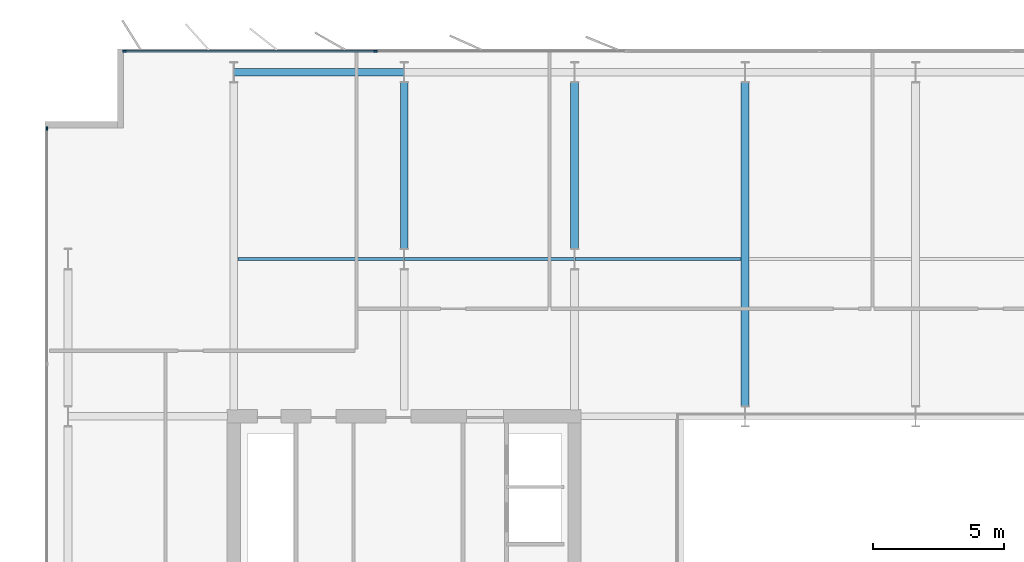
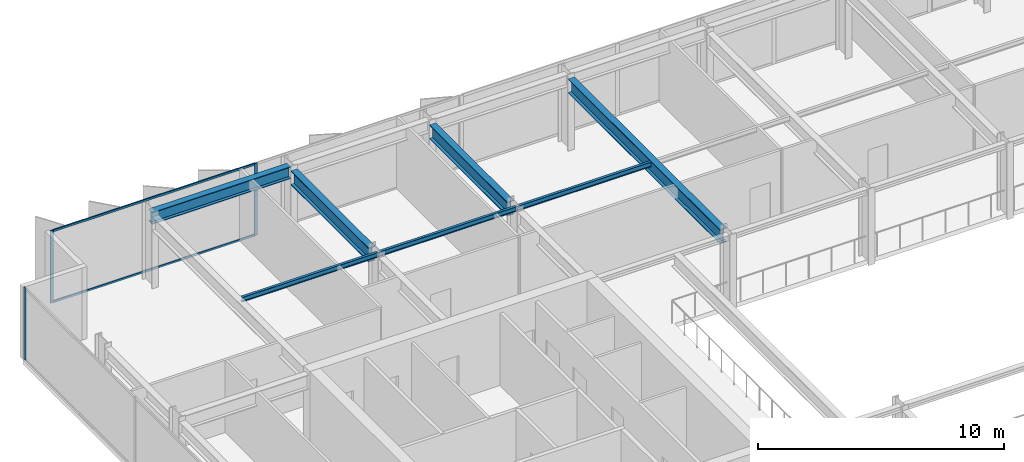
# One storey, part 10 of 24: 7 beams, 5 members, 2 elements without a shape of their own.
"""IFC4 building model written with IfcOpenShell, lengths in metres."""

from ifc_helpers import new_model, si_unit, direction, frame, origin, origin_2d, place, context, subcontext, project, spatial, rectangle, i_section, extrude, material, layer, layer_set, material_profile, profile_set, type_object, element, aggregate, save


model = new_model("IFC4")

# Units and contexts
model_context = context("Model", 3, precision=1e-05, world=origin(), true_north=direction((0.0, 1.0)))
body_context = subcontext(model_context, "Body", "Model", "MODEL_VIEW")
ifc_project = project(units=[si_unit("LENGTHUNIT", "METRE"), si_unit("AREAUNIT", "SQUARE_METRE"), si_unit("VOLUMEUNIT", "CUBIC_METRE"), si_unit("PLANEANGLEUNIT", "RADIAN"), si_unit("MASSUNIT", "GRAM", prefix="KILO")], contexts=[model_context])

# Site, building, storey
site_placement = place(None, origin())
site = spatial("IfcSite", under=ifc_project, at=site_placement, CompositionType="ELEMENT")
building_placement = place(site_placement, origin())
building = spatial("IfcBuilding", under=site, at=building_placement, Name="Putna Gate Headquarters", CompositionType="ELEMENT")
storey_placement = place(building_placement, frame((0.0, 0.0, 236.60009765625)))
storey = spatial("IfcBuildingStorey", under=building, at=storey_placement, Name="L59", CompositionType="ELEMENT", Elevation=236.60009765625)

# Beams
ifc_material_1 = material(Name="Steel S355J2", Category="steel")
ifc_material_profile_1 = material_profile(ifc_material_1, i_section(OverallWidth=0.300048828125, OverallDepth=0.699951171875, WebThickness=0.01708984375, FlangeThickness=0.031982421875, at=origin_2d()), Name="Steel S355J2")
ifc_profile_set_1 = profile_set([ifc_material_profile_1], Name="Steel S355J2")
beam_type_1 = type_object("IfcBeamType", Name="BM-GIRD-B-HEB700", PredefinedType="USERDEFINED", material=ifc_profile_set_1)
for number, where, z_axis, x_axis, name in (
    (1, (19.5, 39.39501953125, 3.22998046875), (0.0, 1.0, 0.0), (-1.0, 0.0, 0.0), "L59 North Primary Girder X19-2"),
    (2, (26.0, 39.39501953125, 3.22998046875), (0.0, 1.0, 0.0), (-1.0, 0.0, 0.0), "L59 North Primary Girder X26-2"),
):
    element("IfcBeam", number, at=place(storey_placement, frame(where, z_axis=z_axis, x_axis=x_axis)), inside=storey, type_object=beam_type_1, Name=name, ObjectType="GIRDER", PredefinedType="USERDEFINED", context=body_context, shape_type="SweptSolid", body=[
        extrude(i_section(OverallWidth=0.300048828125, OverallDepth=0.699951171875, WebThickness=0.01708984375, FlangeThickness=0.031982421875, at=origin_2d()), origin(), (0.0, 0.0, 1.0), 6.330078125),
    ])
beam_1_placement = place(storey_placement, frame((32.5, 33.39501953125, 3.22998046875), z_axis=(0.0, 1.0, 0.0), x_axis=(-1.0, 0.0, 0.0)))
element("IfcBeam", 3, at=beam_1_placement, inside=storey, type_object=beam_type_1, Name="L59 North Primary Girder X32", ObjectType="GIRDER", PredefinedType="USERDEFINED", context=body_context, shape_type="SweptSolid", body=[
    extrude(i_section(OverallWidth=0.300048828125, OverallDepth=0.699951171875, WebThickness=0.01708984375, FlangeThickness=0.031982421875, at=origin_2d()), origin(), (0.0, 0.0, 1.0), 12.330078125),
])
ifc_material_profile_2 = material_profile(ifc_material_1, i_section(OverallWidth=0.1201171875, OverallDepth=0.239990234375, WebThickness=0.006103515625, FlangeThickness=0.009765625, at=origin_2d()), Name="Steel S355J2")
ifc_profile_set_2 = profile_set([ifc_material_profile_2], Name="Steel S355J2")
beam_type_2 = type_object("IfcBeamType", Name="BM-SEC-Z4-IPE240", PredefinedType="JOIST", material=ifc_profile_set_2)
beam_2_placement = place(storey_placement, frame((13.154052734375, 39.0, 3.4599609375), z_axis=(1.0, 0.0, 0.0), x_axis=(0.0, 1.0, 0.0)))
element("IfcBeam", 4, at=beam_2_placement, inside=storey, type_object=beam_type_2, Name="L59 North Secondary Beam 1", PredefinedType="JOIST", context=body_context, shape_type="SweptSolid", body=[
    extrude(i_section(OverallWidth=0.1201171875, OverallDepth=0.239990234375, WebThickness=0.006103515625, FlangeThickness=0.009765625, at=origin_2d()), origin(), (0.0, 0.0, 1.0), 6.33984375),
])
beam_3_placement = place(storey_placement, frame((19.506103515625, 39.0, 3.4599609375), z_axis=(1.0, 0.0, 0.0), x_axis=(0.0, 1.0, 0.0)))
element("IfcBeam", 5, at=beam_3_placement, inside=storey, type_object=beam_type_2, Name="L59 North Secondary Beam 2", PredefinedType="JOIST", context=body_context, shape_type="SweptSolid", body=[
    extrude(i_section(OverallWidth=0.1201171875, OverallDepth=0.239990234375, WebThickness=0.006103515625, FlangeThickness=0.009765625, at=origin_2d()), origin(), (0.0, 0.0, 1.0), 6.48779296875),
])
beam_4_placement = place(storey_placement, frame((26.006103515625, 39.0, 3.4599609375), z_axis=(1.0, 0.0, 0.0), x_axis=(0.0, 1.0, 0.0)))
element("IfcBeam", 6, at=beam_4_placement, inside=storey, type_object=beam_type_2, Name="L59 North Secondary Beam 3", PredefinedType="JOIST", context=body_context, shape_type="SweptSolid", body=[
    extrude(i_section(OverallWidth=0.1201171875, OverallDepth=0.239990234375, WebThickness=0.006103515625, FlangeThickness=0.009765625, at=origin_2d()), origin(), (0.0, 0.0, 1.0), 6.33984375),
])
ifc_material_profile_3 = material_profile(ifc_material_1, i_section(OverallWidth=0.300048828125, OverallDepth=0.590087890625, WebThickness=0.012939453125, FlangeThickness=0.02490234375, at=origin_2d()), Name="Steel S355J2")
ifc_profile_set_3 = profile_set([ifc_material_profile_3], Name="Steel S355J2")
beam_type_3 = type_object("IfcBeamType", Name="BM-SPAN-Z4-HEA600", PredefinedType="SPANDREL", material=ifc_profile_set_3)
beam_5_placement = place(storey_placement, frame((13.006103515625, 46.1201171875, 3.284912109375), z_axis=(1.0, 0.0, 0.0), x_axis=(0.0, 1.0, 0.0)))
element("IfcBeam", 7, at=beam_5_placement, inside=storey, type_object=beam_type_3, Name="L59 N Perimeter Spandrel 1", PredefinedType="SPANDREL", context=body_context, shape_type="SweptSolid", body=[
    extrude(i_section(OverallWidth=0.300048828125, OverallDepth=0.590087890625, WebThickness=0.012939453125, FlangeThickness=0.02490234375, at=origin_2d()), origin(), (0.0, 0.0, 1.0), 6.48779296875),
])

# Curtain wall, members
ifc_material_2 = material(Name="Anodised bronze aluminium curtain wall", Category="aluminium")
ifc_layer = layer(ifc_material_2, 0.139892578125)
ifc_layer_set = layer_set([ifc_layer], Name="Anodised bronze aluminium curtain wall")
curtain_wall_type = type_object("IfcCurtainWallType", Name="CW-SYS-Z4", PredefinedType="USERDEFINED", material=ifc_layer_set)
curtain_wall_1_placement = place(storey_placement, origin())
curtain_wall_1 = element("IfcCurtainWall", 8, at=curtain_wall_1_placement, inside=storey, type_object=curtain_wall_type, Name="L59 North West Curtain Wall", ObjectType="STICK CURTAIN WALL", PredefinedType="USERDEFINED")
ifc_material_3 = material(Name="Anodised bronze aluminium EN AW-6060", Category="aluminium")
ifc_material_profile_4 = material_profile(ifc_material_3, rectangle(XDim=0.06005859375, YDim=0.139892578125, at=origin_2d()), Name="Anodised bronze aluminium EN AW-6060")
ifc_profile_set_4 = profile_set([ifc_material_profile_4], Name="Anodised bronze aluminium EN AW-6060")
member_type_1 = type_object("IfcMemberType", Name="MULL-CWM-4", PredefinedType="MULLION", material=ifc_profile_set_4)
member_1_placement = place(storey_placement, frame((8.830078125, 46.919921875, 0.0), z_axis=(0.0, 0.0, 1.0), x_axis=(0.0, 1.0, 0.0)))
member_1 = element("IfcMember", 9, at=member_1_placement, type_object=member_type_1, Name="CWS-4 mullion 1", PredefinedType="MULLION", context=body_context, shape_type="SweptSolid", body=[
    extrude(rectangle(XDim=0.06005859375, YDim=0.139892578125, at=origin_2d()), origin(), (0.0, 0.0, 1.0), 3.579833984375),
])
member_2_placement = place(storey_placement, frame((18.39990234375, 46.919921875, 0.0), z_axis=(0.0, 0.0, 1.0), x_axis=(0.0, 1.0, 0.0)))
member_2 = element("IfcMember", 10, at=member_2_placement, type_object=member_type_1, Name="CWS-4 mullion 2", PredefinedType="MULLION", context=body_context, shape_type="SweptSolid", body=[
    extrude(rectangle(XDim=0.06005859375, YDim=0.139892578125, at=origin_2d()), origin(), (0.0, 0.0, 1.0), 3.579833984375),
])

# Curtain wall, member
curtain_wall_2_placement = place(storey_placement, origin())
curtain_wall_2 = element("IfcCurtainWall", 11, at=curtain_wall_2_placement, inside=storey, type_object=curtain_wall_type, Name="L59 West Curtain Wall", ObjectType="STICK CURTAIN WALL", PredefinedType="USERDEFINED")
member_3_placement = place(storey_placement, frame((5.8798828125, 43.969970703125, 0.0), z_axis=(0.0, 0.0, 1.0), x_axis=(-1.0, 0.0, 0.0)))
member_3 = element("IfcMember", 12, at=member_3_placement, type_object=member_type_1, Name="CWS-4 mullion 5", PredefinedType="MULLION", context=body_context, shape_type="SweptSolid", body=[
    extrude(rectangle(XDim=0.06005859375, YDim=0.139892578125, at=origin_2d()), origin(), (0.0, 0.0, 1.0), 3.579833984375),
])
aggregate(curtain_wall_2, [member_3])

# Member
ifc_material_profile_5 = material_profile(ifc_material_3, rectangle(XDim=0.06005859375, YDim=0.10009765625, at=origin_2d()), Name="Anodised bronze aluminium EN AW-6060")
ifc_profile_set_5 = profile_set([ifc_material_profile_5], Name="Anodised bronze aluminium EN AW-6060")
member_type_2 = type_object("IfcMemberType", Name="TRAN-CWT-4", PredefinedType="USERDEFINED", material=ifc_profile_set_5)
member_4_placement = place(storey_placement, frame((8.860107421875, 46.919921875, 0.02978515625), z_axis=(1.0, 0.0, 0.0), x_axis=(0.0, 1.0, 0.0)))
member_4 = element("IfcMember", 13, at=member_4_placement, type_object=member_type_2, Name="CWS-4 transom 1.1", ObjectType="TRANSOM", PredefinedType="USERDEFINED", context=body_context, shape_type="SweptSolid", body=[
    extrude(rectangle(XDim=0.06005859375, YDim=0.10009765625, at=origin_2d()), origin(), (0.0, 0.0, 1.0), 9.510009765625),
])

member_5_placement = place(storey_placement, frame((8.860107421875, 46.919921875, 3.5498046875), z_axis=(1.0, 0.0, 0.0), x_axis=(0.0, 1.0, 0.0)))
member_5 = element("IfcMember", 14, at=member_5_placement, type_object=member_type_2, Name="CWS-4 transom 1.2", ObjectType="TRANSOM", PredefinedType="USERDEFINED", context=body_context, shape_type="SweptSolid", body=[
    extrude(rectangle(XDim=0.06005859375, YDim=0.10009765625, at=origin_2d()), origin(), (0.0, 0.0, 1.0), 9.510009765625),
])

aggregate(curtain_wall_1, [member_1, member_2, member_4, member_5])

save(model, "model.ifc")
